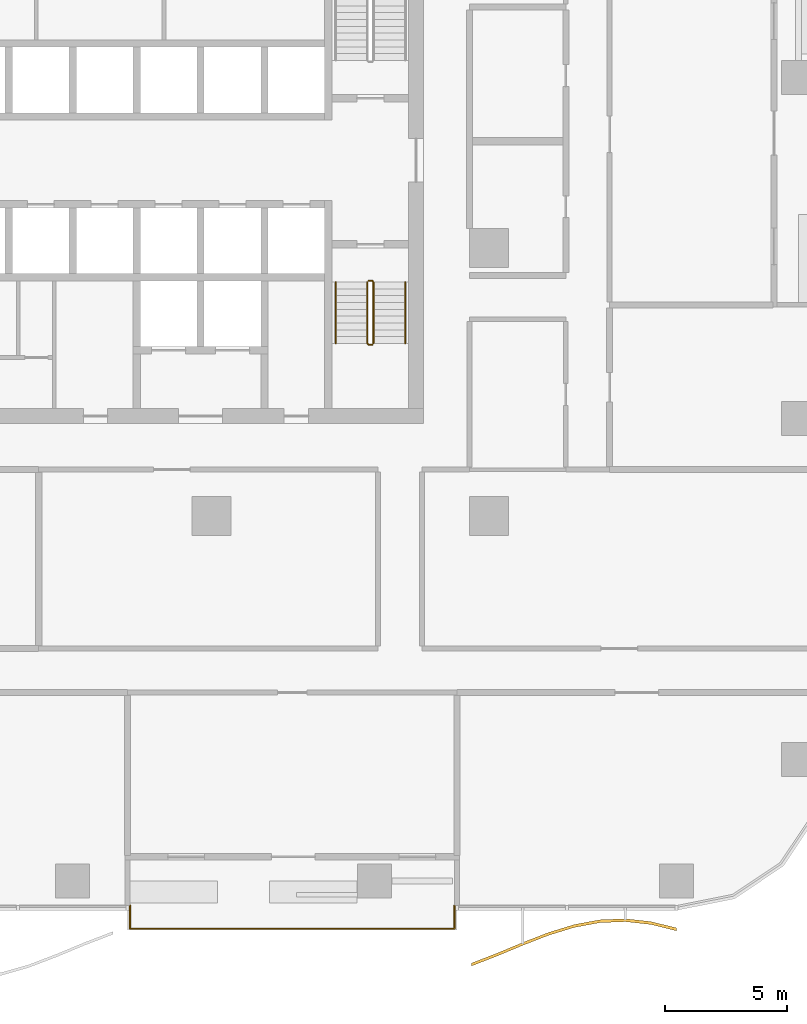
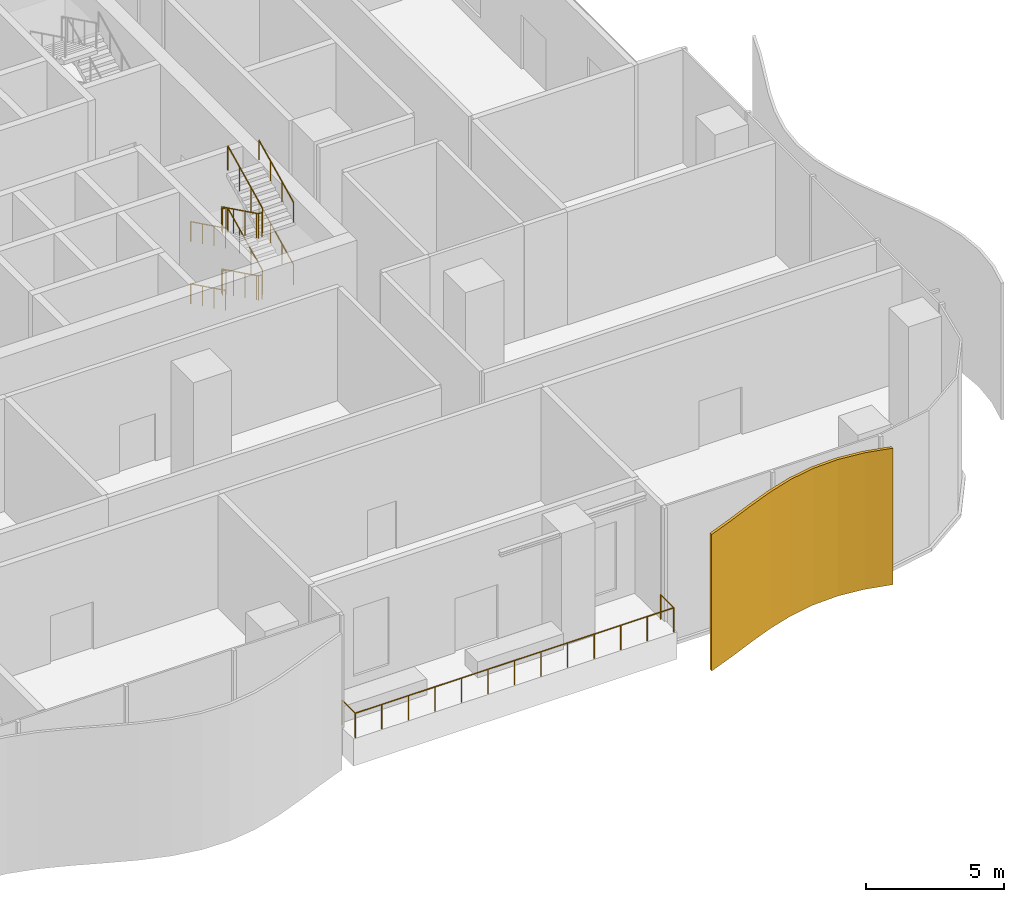
# One storey, part 17 of 21: 10 railings, 1 shading device.
"""IFC4 building model written with IfcOpenShell, lengths in metres."""

from ifc_helpers import new_model, si_unit, direction, frame, origin, origin_2d, place, context, subcontext, project, spatial, polyline, circle, outline, extrude, material, layer, layer_set, type_object, element, save


model = new_model("IFC4")

# Units and contexts
model_context = context("Model", 3, precision=1e-05, world=origin(), true_north=direction((0.0, 1.0)))
body_context = subcontext(model_context, "Body", "Model", "MODEL_VIEW")
ifc_project = project(units=[si_unit("LENGTHUNIT", "METRE"), si_unit("AREAUNIT", "SQUARE_METRE"), si_unit("VOLUMEUNIT", "CUBIC_METRE"), si_unit("PLANEANGLEUNIT", "RADIAN"), si_unit("MASSUNIT", "GRAM", prefix="KILO")], contexts=[model_context])

# Site, building, storey
site_placement = place(None, origin())
site = spatial("IfcSite", under=ifc_project, at=site_placement, CompositionType="ELEMENT")
building_placement = place(site_placement, origin())
building = spatial("IfcBuilding", under=site, at=building_placement, Name="Mopane Tessera Tower", CompositionType="ELEMENT")
storey_placement = place(building_placement, frame((0.0, 0.0, 9.0)))
storey = spatial("IfcBuildingStorey", under=building, at=storey_placement, Name="L01", CompositionType="ELEMENT", Elevation=9.0)

# Railings
ifc_material_1 = material(Name="Powder-coated steel balustrade", Category="steel")
railing_type_1 = type_object("IfcRailingType", Name="Escape stair guard 1100 mm", PredefinedType="GUARDRAIL", material=ifc_material_1)
railing_1_placement = place(storey_placement, frame((12.10009765625, -1.39990234375, 0.137451171875)))
element("IfcRailing", 1, at=railing_1_placement, inside=storey, type_object=railing_type_1, Name="L01 ST3 stair guard 1", PredefinedType="GUARDRAIL", context=body_context, shape_type="SweptSolid", body=[
    extrude(circle(Radius=0.02392578125, at=origin_2d()), frame((0.0, 0.0, 1.076171875), z_axis=(0.0, -0.897604431175, 0.440801866075), x_axis=(1.0, 0.0, 0.0)), (0.0, 0.0, 1.0), 2.807373046875),
    extrude(circle(Radius=0.02392578125, at=origin_2d()), frame((0.0, -2.52001953125, 2.3134765625), z_axis=(0.705375805398, -0.708833529934, 0.0), x_axis=(0.708833529934, 0.705375805398, 0.0)), (0.0, 0.0, 1.0), 0.070556640625),
    extrude(circle(Radius=0.02392578125, at=origin_2d()), frame((0.0498046875, -2.570068359375, 2.3134765625), z_axis=(1.0, 0.0, 0.0), x_axis=(0.0, 1.0, 0.0)), (0.0, 0.0, 1.0), 0.150146484375),
    extrude(circle(Radius=0.02099609375, at=origin_2d()), origin(), (0.0, 0.0, 1.0), 1.052001953125),
    extrude(circle(Radius=0.02099609375, at=origin_2d()), frame((0.0, -0.840087890625, 0.41259765625)), (0.0, 0.0, 1.0), 1.052001953125),
    extrude(circle(Radius=0.02099609375, at=origin_2d()), frame((0.0, -1.679931640625, 0.824951171875)), (0.0, 0.0, 1.0), 1.052001953125),
    extrude(circle(Radius=0.02099609375, at=origin_2d()), frame((0.0, -2.52001953125, 1.237548828125)), (0.0, 0.0, 1.0), 1.052001953125),
    extrude(circle(Radius=0.02099609375, at=origin_2d()), frame((0.0498046875, -2.570068359375, 1.237548828125)), (0.0, 0.0, 1.0), 1.052001953125),
    extrude(circle(Radius=0.02099609375, at=origin_2d()), frame((0.199951171875, -2.570068359375, 1.237548828125)), (0.0, 0.0, 1.0), 1.052001953125),
])
railing_2_placement = place(storey_placement, frame((12.35009765625, -3.919921875, 1.512451171875)))
element("IfcRailing", 2, at=railing_2_placement, inside=storey, type_object=railing_type_1, Name="L01 ST3 stair guard 2", PredefinedType="GUARDRAIL", context=body_context, shape_type="SweptSolid", body=[
    extrude(circle(Radius=0.02392578125, at=origin_2d()), frame((0.0, 0.0, 1.076171875), z_axis=(0.0, 0.897604431175, 0.440801866075), x_axis=(-1.0, 0.0, 0.0)), (0.0, 0.0, 1.0), 2.807373046875),
    extrude(circle(Radius=0.02392578125, at=origin_2d()), frame((0.0, 2.52001953125, 2.3134765625), z_axis=(-0.708833529934, 0.705375805398, 0.0), x_axis=(-0.705375805398, -0.708833529934, 0.0)), (0.0, 0.0, 1.0), 0.070556640625),
    extrude(circle(Radius=0.02392578125, at=origin_2d()), frame((-0.050048828125, 2.56982421875, 2.3134765625), z_axis=(-1.0, 0.0, 0.0), x_axis=(0.0, -1.0, 0.0)), (0.0, 0.0, 1.0), 0.150146484375),
    extrude(circle(Radius=0.02099609375, at=origin_2d()), origin(), (0.0, 0.0, 1.0), 1.052001953125),
    extrude(circle(Radius=0.02099609375, at=origin_2d()), frame((0.0, 0.840087890625, 0.41259765625)), (0.0, 0.0, 1.0), 1.052001953125),
    extrude(circle(Radius=0.02099609375, at=origin_2d()), frame((0.0, 1.679931640625, 0.824951171875)), (0.0, 0.0, 1.0), 1.052001953125),
    extrude(circle(Radius=0.02099609375, at=origin_2d()), frame((0.0, 2.52001953125, 1.237548828125)), (0.0, 0.0, 1.0), 1.052001953125),
    extrude(circle(Radius=0.02099609375, at=origin_2d()), frame((-0.050048828125, 2.56982421875, 1.237548828125)), (0.0, 0.0, 1.0), 1.052001953125),
    extrude(circle(Radius=0.02099609375, at=origin_2d()), frame((-0.2001953125, 2.56982421875, 1.237548828125)), (0.0, 0.0, 1.0), 1.052001953125),
])
railing_3_placement = place(storey_placement, frame((12.10009765625, -1.39990234375, 2.887451171875)))
element("IfcRailing", 3, at=railing_3_placement, inside=storey, type_object=railing_type_1, Name="L01 ST3 stair guard 3", PredefinedType="GUARDRAIL", context=body_context, shape_type="SweptSolid", body=[
    extrude(circle(Radius=0.02392578125, at=origin_2d()), frame((0.0, 0.0, 1.076171875), z_axis=(0.0, -0.897604431175, 0.440801866075), x_axis=(1.0, 0.0, 0.0)), (0.0, 0.0, 1.0), 2.807373046875),
    extrude(circle(Radius=0.02392578125, at=origin_2d()), frame((0.0, -2.52001953125, 2.3134765625), z_axis=(0.705375805398, -0.708833529934, 0.0), x_axis=(0.708833529934, 0.705375805398, 0.0)), (0.0, 0.0, 1.0), 0.070556640625),
    extrude(circle(Radius=0.02392578125, at=origin_2d()), frame((0.0498046875, -2.570068359375, 2.3134765625), z_axis=(1.0, 0.0, 0.0), x_axis=(0.0, 1.0, 0.0)), (0.0, 0.0, 1.0), 0.150146484375),
    extrude(circle(Radius=0.02099609375, at=origin_2d()), origin(), (0.0, 0.0, 1.0), 1.052001953125),
    extrude(circle(Radius=0.02099609375, at=origin_2d()), frame((0.0, -0.840087890625, 0.41259765625)), (0.0, 0.0, 1.0), 1.052001953125),
    extrude(circle(Radius=0.02099609375, at=origin_2d()), frame((0.0, -1.679931640625, 0.824951171875)), (0.0, 0.0, 1.0), 1.052001953125),
    extrude(circle(Radius=0.02099609375, at=origin_2d()), frame((0.0, -2.52001953125, 1.237548828125)), (0.0, 0.0, 1.0), 1.052001953125),
    extrude(circle(Radius=0.02099609375, at=origin_2d()), frame((0.0498046875, -2.570068359375, 1.237548828125)), (0.0, 0.0, 1.0), 1.052001953125),
    extrude(circle(Radius=0.02099609375, at=origin_2d()), frame((0.199951171875, -2.570068359375, 1.237548828125)), (0.0, 0.0, 1.0), 1.052001953125),
])
railing_4_placement = place(storey_placement, frame((12.35009765625, -3.919921875, 4.262451171875)))
element("IfcRailing", 4, at=railing_4_placement, inside=storey, type_object=railing_type_1, Name="L01 ST3 stair guard 4", PredefinedType="GUARDRAIL", context=body_context, shape_type="SweptSolid", body=[
    extrude(circle(Radius=0.02392578125, at=origin_2d()), frame((0.0, 0.0, 1.076171875), z_axis=(0.0, 0.897604431175, 0.440801866075), x_axis=(-1.0, 0.0, 0.0)), (0.0, 0.0, 1.0), 2.807373046875),
    extrude(circle(Radius=0.02099609375, at=origin_2d()), origin(), (0.0, 0.0, 1.0), 1.052001953125),
    extrude(circle(Radius=0.02099609375, at=origin_2d()), frame((0.0, 0.840087890625, 0.41259765625)), (0.0, 0.0, 1.0), 1.052001953125),
    extrude(circle(Radius=0.02099609375, at=origin_2d()), frame((0.0, 1.679931640625, 0.824951171875)), (0.0, 0.0, 1.0), 1.052001953125),
    extrude(circle(Radius=0.02099609375, at=origin_2d()), frame((0.0, 2.52001953125, 1.237548828125)), (0.0, 0.0, 1.0), 1.052001953125),
])
railing_5_placement = place(storey_placement, frame((12.14990234375, -1.35009765625, 0.0)))
element("IfcRailing", 5, at=railing_5_placement, inside=storey, type_object=railing_type_1, Name="L01 ST3 stair guard 5", PredefinedType="GUARDRAIL", context=body_context, shape_type="SweptSolid", body=[
    extrude(circle(Radius=0.02392578125, at=origin_2d()), frame((0.0, 0.0, 1.076171875), z_axis=(1.0, 0.0, 0.0), x_axis=(0.0, 1.0, 0.0)), (0.0, 0.0, 1.0), 0.150146484375),
    extrude(circle(Radius=0.02099609375, at=origin_2d()), origin(), (0.0, 0.0, 1.0), 1.052001953125),
    extrude(circle(Radius=0.02099609375, at=origin_2d()), frame((0.150146484375, 0.0, 0.0)), (0.0, 0.0, 1.0), 1.052001953125),
])
ifc_material_2 = material(Name="Powder-coated steel balustrade", Category="steel")
railing_type_2 = type_object("IfcRailingType", Name="Escape stair handrail 900 mm", PredefinedType="HANDRAIL", material=ifc_material_2)
railing_6_placement = place(storey_placement, frame((10.800048828125, -1.39990234375, 0.137451171875)))
element("IfcRailing", 6, at=railing_6_placement, inside=storey, type_object=railing_type_2, Name="L01 ST3 stair handrail 1", PredefinedType="HANDRAIL", context=body_context, shape_type="SweptSolid", body=[
    extrude(circle(Radius=0.02392578125, at=origin_2d()), frame((0.0, 0.0, 0.8759765625), z_axis=(0.0, -0.897604431175, 0.440801866075), x_axis=(1.0, 0.0, 0.0)), (0.0, 0.0, 1.0), 2.807373046875),
    extrude(circle(Radius=0.02099609375, at=origin_2d()), origin(), (0.0, 0.0, 1.0), 0.851806640625),
    extrude(circle(Radius=0.02099609375, at=origin_2d()), frame((0.0, -0.840087890625, 0.41259765625)), (0.0, 0.0, 1.0), 0.851806640625),
    extrude(circle(Radius=0.02099609375, at=origin_2d()), frame((0.0, -1.679931640625, 0.824951171875)), (0.0, 0.0, 1.0), 0.851806640625),
    extrude(circle(Radius=0.02099609375, at=origin_2d()), frame((0.0, -2.52001953125, 1.237548828125)), (0.0, 0.0, 1.0), 0.851806640625),
])
railing_7_placement = place(storey_placement, frame((13.64990234375, -3.919921875, 1.512451171875)))
element("IfcRailing", 7, at=railing_7_placement, inside=storey, type_object=railing_type_2, Name="L01 ST3 stair handrail 2", PredefinedType="HANDRAIL", context=body_context, shape_type="SweptSolid", body=[
    extrude(circle(Radius=0.02392578125, at=origin_2d()), frame((0.0, 0.0, 0.8759765625), z_axis=(0.0, 0.897604431175, 0.440801866075), x_axis=(-1.0, 0.0, 0.0)), (0.0, 0.0, 1.0), 2.807373046875),
    extrude(circle(Radius=0.02099609375, at=origin_2d()), origin(), (0.0, 0.0, 1.0), 0.851806640625),
    extrude(circle(Radius=0.02099609375, at=origin_2d()), frame((0.0, 0.840087890625, 0.41259765625)), (0.0, 0.0, 1.0), 0.851806640625),
    extrude(circle(Radius=0.02099609375, at=origin_2d()), frame((0.0, 1.679931640625, 0.824951171875)), (0.0, 0.0, 1.0), 0.851806640625),
    extrude(circle(Radius=0.02099609375, at=origin_2d()), frame((0.0, 2.52001953125, 1.237548828125)), (0.0, 0.0, 1.0), 0.851806640625),
])
railing_8_placement = place(storey_placement, frame((10.800048828125, -1.39990234375, 2.887451171875)))
element("IfcRailing", 8, at=railing_8_placement, inside=storey, type_object=railing_type_2, Name="L01 ST3 stair handrail 3", PredefinedType="HANDRAIL", context=body_context, shape_type="SweptSolid", body=[
    extrude(circle(Radius=0.02392578125, at=origin_2d()), frame((0.0, 0.0, 0.8759765625), z_axis=(0.0, -0.897604431175, 0.440801866075), x_axis=(1.0, 0.0, 0.0)), (0.0, 0.0, 1.0), 2.807373046875),
    extrude(circle(Radius=0.02099609375, at=origin_2d()), origin(), (0.0, 0.0, 1.0), 0.851806640625),
    extrude(circle(Radius=0.02099609375, at=origin_2d()), frame((0.0, -0.840087890625, 0.41259765625)), (0.0, 0.0, 1.0), 0.851806640625),
    extrude(circle(Radius=0.02099609375, at=origin_2d()), frame((0.0, -1.679931640625, 0.824951171875)), (0.0, 0.0, 1.0), 0.851806640625),
    extrude(circle(Radius=0.02099609375, at=origin_2d()), frame((0.0, -2.52001953125, 1.237548828125)), (0.0, 0.0, 1.0), 0.851806640625),
])
railing_9_placement = place(storey_placement, frame((13.64990234375, -3.919921875, 4.262451171875)))
element("IfcRailing", 9, at=railing_9_placement, inside=storey, type_object=railing_type_2, Name="L01 ST3 stair handrail 4", PredefinedType="HANDRAIL", context=body_context, shape_type="SweptSolid", body=[
    extrude(circle(Radius=0.02392578125, at=origin_2d()), frame((0.0, 0.0, 0.8759765625), z_axis=(0.0, 0.897604431175, 0.440801866075), x_axis=(-1.0, 0.0, 0.0)), (0.0, 0.0, 1.0), 2.807373046875),
    extrude(circle(Radius=0.02099609375, at=origin_2d()), origin(), (0.0, 0.0, 1.0), 0.851806640625),
    extrude(circle(Radius=0.02099609375, at=origin_2d()), frame((0.0, 0.840087890625, 0.41259765625)), (0.0, 0.0, 1.0), 0.851806640625),
    extrude(circle(Radius=0.02099609375, at=origin_2d()), frame((0.0, 1.679931640625, 0.824951171875)), (0.0, 0.0, 1.0), 0.851806640625),
    extrude(circle(Radius=0.02099609375, at=origin_2d()), frame((0.0, 2.52001953125, 1.237548828125)), (0.0, 0.0, 1.0), 0.851806640625),
])
ifc_material_3 = material(Name="Stainless steel S316", Category="steel")
railing_type_3 = type_object("IfcRailingType", Name="Terrace guard 1100", PredefinedType="GUARDRAIL", material=ifc_material_3)
railing_10_placement = place(storey_placement, frame((2.3544921875, -27.0, 0.0)))
element("IfcRailing", 10, at=railing_10_placement, inside=storey, type_object=railing_type_3, Name="e:nw:L01:N1:guard", PredefinedType="GUARDRAIL", context=body_context, shape_type="SweptSolid", body=[
    extrude(circle(Radius=0.02392578125, at=origin_2d()), frame((0.0, 0.0, 1.076171875), z_axis=(0.0, -1.0, 0.0), x_axis=(1.0, 0.0, 0.0)), (0.0, 0.0, 1.0), 0.949951171875),
    extrude(circle(Radius=0.02392578125, at=origin_2d()), frame((0.0, -0.949951171875, 1.076171875), z_axis=(1.0, 0.0, 0.0), x_axis=(0.0, 1.0, 0.0)), (0.0, 0.0, 1.0), 13.327392578125),
    extrude(circle(Radius=0.02392578125, at=origin_2d()), frame((13.327392578125, -0.949951171875, 1.076171875), z_axis=(0.0, 1.0, 0.0), x_axis=(-1.0, 0.0, 0.0)), (0.0, 0.0, 1.0), 0.949951171875),
    extrude(circle(Radius=0.02099609375, at=origin_2d()), origin(), (0.0, 0.0, 1.0), 1.052001953125),
    extrude(circle(Radius=0.02099609375, at=origin_2d()), frame((0.0, -0.949951171875, 0.0)), (0.0, 0.0, 1.0), 1.052001953125),
    extrude(circle(Radius=0.02099609375, at=origin_2d()), frame((1.110595703125, -0.949951171875, 0.0)), (0.0, 0.0, 1.0), 1.052001953125),
    extrude(circle(Radius=0.02099609375, at=origin_2d()), frame((2.22119140625, -0.949951171875, 0.0)), (0.0, 0.0, 1.0), 1.052001953125),
    extrude(circle(Radius=0.02099609375, at=origin_2d()), frame((3.331787109375, -0.949951171875, 0.0)), (0.0, 0.0, 1.0), 1.052001953125),
    extrude(circle(Radius=0.02099609375, at=origin_2d()), frame((4.4423828125, -0.949951171875, 0.0)), (0.0, 0.0, 1.0), 1.052001953125),
    extrude(circle(Radius=0.02099609375, at=origin_2d()), frame((5.552978515625, -0.949951171875, 0.0)), (0.0, 0.0, 1.0), 1.052001953125),
    extrude(circle(Radius=0.02099609375, at=origin_2d()), frame((6.66357421875, -0.949951171875, 0.0)), (0.0, 0.0, 1.0), 1.052001953125),
    extrude(circle(Radius=0.02099609375, at=origin_2d()), frame((7.7744140625, -0.949951171875, 0.0)), (0.0, 0.0, 1.0), 1.052001953125),
    extrude(circle(Radius=0.02099609375, at=origin_2d()), frame((8.885009765625, -0.949951171875, 0.0)), (0.0, 0.0, 1.0), 1.052001953125),
    extrude(circle(Radius=0.02099609375, at=origin_2d()), frame((9.99560546875, -0.949951171875, 0.0)), (0.0, 0.0, 1.0), 1.052001953125),
    extrude(circle(Radius=0.02099609375, at=origin_2d()), frame((11.106201171875, -0.949951171875, 0.0)), (0.0, 0.0, 1.0), 1.052001953125),
    extrude(circle(Radius=0.02099609375, at=origin_2d()), frame((12.216796875, -0.949951171875, 0.0)), (0.0, 0.0, 1.0), 1.052001953125),
    extrude(circle(Radius=0.02099609375, at=origin_2d()), frame((13.327392578125, -0.949951171875, 0.0)), (0.0, 0.0, 1.0), 1.052001953125),
    extrude(circle(Radius=0.02099609375, at=origin_2d()), frame((13.327392578125, 0.0, 0.0)), (0.0, 0.0, 1.0), 1.052001953125),
])

# Shading device
ifc_material_4 = material(Name="Anodised aluminium louvre blades", Category="aluminium")
ifc_layer = layer(ifc_material_4, 0.1201171875)
ifc_layer_set = layer_set([ifc_layer], Name="Anodised aluminium louvre blades")
shading_device_type = type_object("IfcShadingDeviceType", Name="Wave louvre screen", PredefinedType="JALOUSIE", material=ifc_layer_set)
shading_device_placement = place(storey_placement, frame((0.0, 0.0, -1.0400390625)))
element("IfcShadingDevice", 11, at=shading_device_placement, inside=storey, type_object=shading_device_type, Name="e:lv:L01:S:1", PredefinedType="JALOUSIE", context=body_context, shape_type="SweptSolid", body=[
    extrude(outline(polyline([(16.3818359375, -29.364501953125), (17.43408203125, -28.954833984375), (18.486328125, -28.5166015625), (19.53857421875, -28.108154296875), (20.5908203125, -27.783935546875), (21.64306640625, -27.587158203125), (22.695556640625, -27.54443359375), (23.747802734375, -27.6611328125), (24.800048828125, -27.921630859375), (24.800048828125, -28.04150390625), (23.747802734375, -27.781005859375), (22.695556640625, -27.664306640625), (21.64306640625, -27.707275390625), (20.5908203125, -27.904052734375), (19.53857421875, -28.22802734375), (18.486328125, -28.63671875), (17.43408203125, -29.074951171875), (16.3818359375, -29.484619140625), (16.3818359375, -29.364501953125)])), origin(), (0.0, 0.0, 1.0), 6.0400390625),
])

save(model, "model.ifc")
